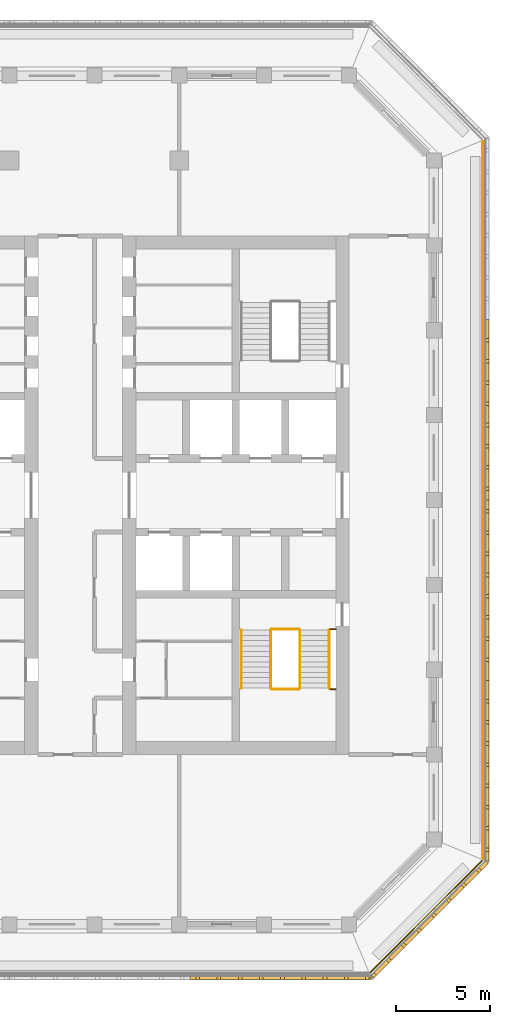
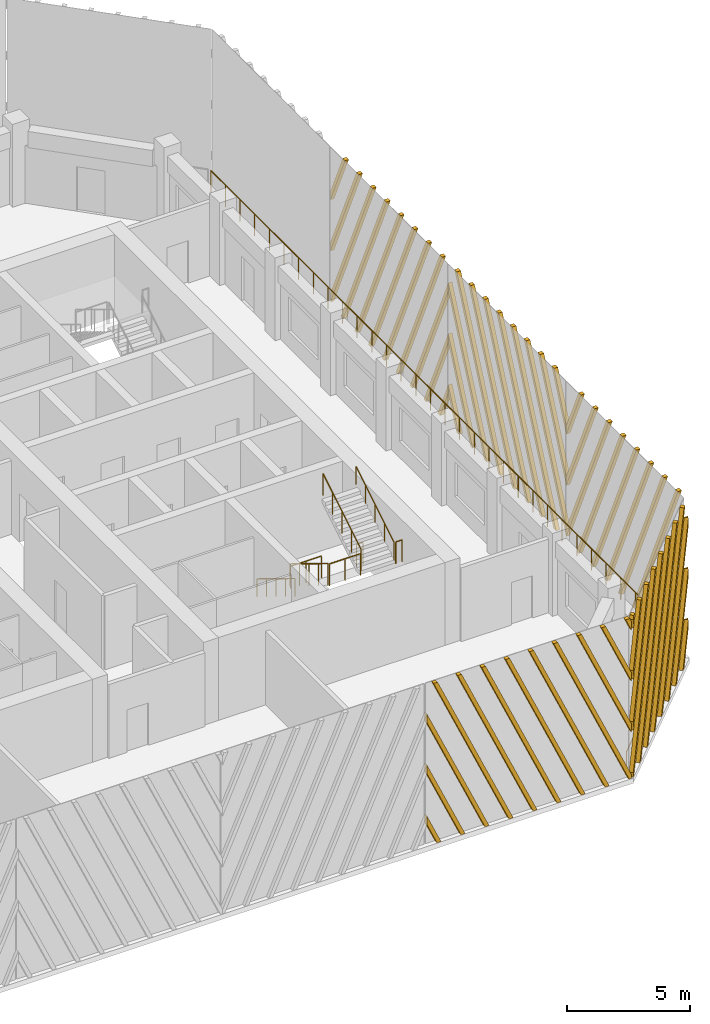
# One storey, part 11 of 15: 10 railings, 5 shading devices.
"""IFC4 building model written with IfcOpenShell, lengths in metres."""

from ifc_helpers import new_model, si_unit, direction, frame, origin, origin_2d, place, context, subcontext, project, spatial, polyline, circle, outline, extrude, source, transform, mapped, material, type_object, element, save


model = new_model("IFC4")

# Units and contexts
model_context = context("Model", 3, precision=1e-05, world=origin(), true_north=direction((0.0, 1.0)))
body_context = subcontext(model_context, "Body", "Model", "MODEL_VIEW")
ifc_project = project(units=[si_unit("LENGTHUNIT", "METRE"), si_unit("AREAUNIT", "SQUARE_METRE"), si_unit("VOLUMEUNIT", "CUBIC_METRE"), si_unit("PLANEANGLEUNIT", "RADIAN"), si_unit("MASSUNIT", "GRAM", prefix="KILO")], contexts=[model_context])

# Site, building, storey
site_placement = place(None, origin())
site = spatial("IfcSite", under=ifc_project, at=site_placement, CompositionType="ELEMENT")
building_placement = place(site_placement, origin())
building = spatial("IfcBuilding", under=site, at=building_placement, Name="Corbel Stack Research Tower", CompositionType="ELEMENT")
storey_placement = place(building_placement, frame((0.0, 0.0, 274.5)))
storey = spatial("IfcBuildingStorey", under=building, at=storey_placement, Name="L62", CompositionType="ELEMENT", Elevation=274.5)

# Railings
ifc_material_1 = material(Name="Steel S355", Category="steel")
railing_type_1 = type_object("IfcRailingType", Name="Stair guard 1100", PredefinedType="GUARDRAIL", material=ifc_material_1)
railing_1_placement = place(storey_placement, frame((13.85009765625, -2.39990234375, 0.1708984375)))
element("IfcRailing", 1, at=railing_1_placement, inside=storey, type_object=railing_type_1, Name="L62 ST-E1 stair guard 1", PredefinedType="GUARDRAIL", context=body_context, shape_type="SweptSolid", body=[
    extrude(circle(Radius=0.02392578125, at=origin_2d()), frame((0.0, 0.0, 1.076171875), z_axis=(0.0, -0.853666305674, 0.52082035152), x_axis=(1.0, 0.0, 0.0)), (0.0, 0.0, 1.0), 3.608154296875),
    extrude(circle(Radius=0.02099609375, at=origin_2d()), origin(), (0.0, 0.0, 1.0), 1.052001953125),
    extrude(circle(Radius=0.02099609375, at=origin_2d()), frame((0.0, -0.77001953125, 0.4697265625)), (0.0, 0.0, 1.0), 1.052001953125),
    extrude(circle(Radius=0.02099609375, at=origin_2d()), frame((0.0, -1.5400390625, 0.939453125)), (0.0, 0.0, 1.0), 1.052001953125),
    extrude(circle(Radius=0.02099609375, at=origin_2d()), frame((0.0, -2.31005859375, 1.409423828125)), (0.0, 0.0, 1.0), 1.052001953125),
    extrude(circle(Radius=0.02099609375, at=origin_2d()), frame((0.0, -3.080078125, 1.879150390625)), (0.0, 0.0, 1.0), 1.052001953125),
])
railing_2_placement = place(storey_placement, frame((13.89990234375, -5.530029296875, 2.050048828125)))
element("IfcRailing", 2, at=railing_2_placement, inside=storey, type_object=railing_type_1, Name="L62 ST-E1 stair guard 2", PredefinedType="GUARDRAIL", context=body_context, shape_type="SweptSolid", body=[
    extrude(circle(Radius=0.02392578125, at=origin_2d()), frame((0.0, 0.0, 1.076171875), z_axis=(1.0, 0.0, 0.0), x_axis=(0.0, 1.0, 0.0)), (0.0, 0.0, 1.0), 1.4501953125),
    extrude(circle(Radius=0.02099609375, at=origin_2d()), origin(), (0.0, 0.0, 1.0), 1.052001953125),
    extrude(circle(Radius=0.02099609375, at=origin_2d()), frame((0.72509765625, 0.0, 0.0)), (0.0, 0.0, 1.0), 1.052001953125),
    extrude(circle(Radius=0.02099609375, at=origin_2d()), frame((1.4501953125, 0.0, 0.0)), (0.0, 0.0, 1.0), 1.052001953125),
])
railing_3_placement = place(storey_placement, frame((17.0, -5.530029296875, 2.050048828125)))
element("IfcRailing", 3, at=railing_3_placement, inside=storey, type_object=railing_type_1, Name="L62 ST-E1 stair guard 3", PredefinedType="GUARDRAIL", context=body_context, shape_type="SweptSolid", body=[
    extrude(circle(Radius=0.02392578125, at=origin_2d()), frame((0.0, 0.0, 1.076171875), z_axis=(1.0, 0.0, 0.0), x_axis=(0.0, 1.0, 0.0)), (0.0, 0.0, 1.0), 0.300048828125),
    extrude(circle(Radius=0.02099609375, at=origin_2d()), origin(), (0.0, 0.0, 1.0), 1.052001953125),
    extrude(circle(Radius=0.02099609375, at=origin_2d()), frame((0.300048828125, 0.0, 0.0)), (0.0, 0.0, 1.0), 1.052001953125),
])
railing_4_placement = place(storey_placement, frame((15.39990234375, -5.47998046875, 2.220947265625)))
element("IfcRailing", 4, at=railing_4_placement, inside=storey, type_object=railing_type_1, Name="L62 ST-E1 stair guard 4", PredefinedType="GUARDRAIL", context=body_context, shape_type="SweptSolid", body=[
    extrude(circle(Radius=0.02392578125, at=origin_2d()), frame((0.0, 0.0, 1.076171875), z_axis=(0.0, 0.853666305674, 0.52082035152), x_axis=(-1.0, 0.0, 0.0)), (0.0, 0.0, 1.0), 3.608154296875),
    extrude(circle(Radius=0.02099609375, at=origin_2d()), origin(), (0.0, 0.0, 1.0), 1.052001953125),
    extrude(circle(Radius=0.02099609375, at=origin_2d()), frame((0.0, 0.77001953125, 0.4697265625)), (0.0, 0.0, 1.0), 1.052001953125),
    extrude(circle(Radius=0.02099609375, at=origin_2d()), frame((0.0, 1.5400390625, 0.939453125)), (0.0, 0.0, 1.0), 1.052001953125),
    extrude(circle(Radius=0.02099609375, at=origin_2d()), frame((0.0, 2.31005859375, 1.409423828125)), (0.0, 0.0, 1.0), 1.052001953125),
    extrude(circle(Radius=0.02099609375, at=origin_2d()), frame((0.0, 3.080078125, 1.879150390625)), (0.0, 0.0, 1.0), 1.052001953125),
])
railing_5_placement = place(storey_placement, frame((13.89990234375, -2.35009765625, 0.0)))
element("IfcRailing", 5, at=railing_5_placement, inside=storey, type_object=railing_type_1, Name="L62 ST-E1 stair guard 5", PredefinedType="GUARDRAIL", context=body_context, shape_type="SweptSolid", body=[
    extrude(circle(Radius=0.02392578125, at=origin_2d()), frame((0.0, 0.0, 1.076171875), z_axis=(1.0, 0.0, 0.0), x_axis=(0.0, 1.0, 0.0)), (0.0, 0.0, 1.0), 1.4501953125),
    extrude(circle(Radius=0.02099609375, at=origin_2d()), origin(), (0.0, 0.0, 1.0), 1.052001953125),
    extrude(circle(Radius=0.02099609375, at=origin_2d()), frame((0.72509765625, 0.0, 0.0)), (0.0, 0.0, 1.0), 1.052001953125),
    extrude(circle(Radius=0.02099609375, at=origin_2d()), frame((1.4501953125, 0.0, 0.0)), (0.0, 0.0, 1.0), 1.052001953125),
])
railing_6_placement = place(storey_placement, frame((17.0, -2.35009765625, 0.0)))
element("IfcRailing", 6, at=railing_6_placement, inside=storey, type_object=railing_type_1, Name="L62 ST-E1 stair guard 6", PredefinedType="GUARDRAIL", context=body_context, shape_type="SweptSolid", body=[
    extrude(circle(Radius=0.02392578125, at=origin_2d()), frame((0.0, 0.0, 1.076171875), z_axis=(1.0, 0.0, 0.0), x_axis=(0.0, 1.0, 0.0)), (0.0, 0.0, 1.0), 0.300048828125),
    extrude(circle(Radius=0.02099609375, at=origin_2d()), origin(), (0.0, 0.0, 1.0), 1.052001953125),
    extrude(circle(Radius=0.02099609375, at=origin_2d()), frame((0.300048828125, 0.0, 0.0)), (0.0, 0.0, 1.0), 1.052001953125),
])
ifc_material_2 = material(Name="Steel S355", Category="steel")
railing_type_2 = type_object("IfcRailingType", Name="Stair handrail 900", PredefinedType="HANDRAIL", material=ifc_material_2)
railing_7_placement = place(storey_placement, frame((12.300048828125, -2.39990234375, 0.1708984375)))
element("IfcRailing", 7, at=railing_7_placement, inside=storey, type_object=railing_type_2, Name="L62 ST-E1 stair handrail 1", PredefinedType="HANDRAIL", context=body_context, shape_type="SweptSolid", body=[
    extrude(circle(Radius=0.02392578125, at=origin_2d()), frame((0.0, 0.0, 0.8759765625), z_axis=(0.0, -0.853666305674, 0.52082035152), x_axis=(1.0, 0.0, 0.0)), (0.0, 0.0, 1.0), 3.608154296875),
    extrude(circle(Radius=0.02099609375, at=origin_2d()), origin(), (0.0, 0.0, 1.0), 0.851806640625),
    extrude(circle(Radius=0.02099609375, at=origin_2d()), frame((0.0, -0.77001953125, 0.4697265625)), (0.0, 0.0, 1.0), 0.851806640625),
    extrude(circle(Radius=0.02099609375, at=origin_2d()), frame((0.0, -1.5400390625, 0.939453125)), (0.0, 0.0, 1.0), 0.851806640625),
    extrude(circle(Radius=0.02099609375, at=origin_2d()), frame((0.0, -2.31005859375, 1.409423828125)), (0.0, 0.0, 1.0), 0.851806640625),
    extrude(circle(Radius=0.02099609375, at=origin_2d()), frame((0.0, -3.080078125, 1.879150390625)), (0.0, 0.0, 1.0), 0.851806640625),
])
railing_8_placement = place(storey_placement, frame((16.949951171875, -5.47998046875, 2.220947265625)))
element("IfcRailing", 8, at=railing_8_placement, inside=storey, type_object=railing_type_2, Name="L62 ST-E1 stair handrail 2", PredefinedType="HANDRAIL", context=body_context, shape_type="SweptSolid", body=[
    extrude(circle(Radius=0.02392578125, at=origin_2d()), frame((0.0, 0.0, 0.8759765625), z_axis=(0.0, 0.853666305674, 0.52082035152), x_axis=(-1.0, 0.0, 0.0)), (0.0, 0.0, 1.0), 3.608154296875),
    extrude(circle(Radius=0.02099609375, at=origin_2d()), origin(), (0.0, 0.0, 1.0), 0.851806640625),
    extrude(circle(Radius=0.02099609375, at=origin_2d()), frame((0.0, 0.77001953125, 0.4697265625)), (0.0, 0.0, 1.0), 0.851806640625),
    extrude(circle(Radius=0.02099609375, at=origin_2d()), frame((0.0, 1.5400390625, 0.939453125)), (0.0, 0.0, 1.0), 0.851806640625),
    extrude(circle(Radius=0.02099609375, at=origin_2d()), frame((0.0, 2.31005859375, 1.409423828125)), (0.0, 0.0, 1.0), 0.851806640625),
    extrude(circle(Radius=0.02099609375, at=origin_2d()), frame((0.0, 3.080078125, 1.879150390625)), (0.0, 0.0, 1.0), 0.851806640625),
])
ifc_material_3 = material(Name="Powder-coated steel guard", Category="steel")
railing_type_3 = type_object("IfcRailingType", Name="Steel and glass guard 1100", PredefinedType="GUARDRAIL", material=ifc_material_3)
railing_9_placement = place(storey_placement, frame((19.127685546875, -20.54931640625, 0.0)))
element("IfcRailing", 9, at=railing_9_placement, inside=storey, type_object=railing_type_3, Name="Loggia guard L62 SE", PredefinedType="GUARDRAIL", context=body_context, shape_type="SweptSolid", body=[
    extrude(circle(Radius=0.02392578125, at=origin_2d()), frame((0.0, 0.0, 1.076171875), z_axis=(0.707106781187, 0.707106781187, 0.0), x_axis=(-0.707106781187, 0.707106781187, 0.0)), (0.0, 0.0, 1.0), 8.37451171875),
    extrude(circle(Radius=0.02099609375, at=origin_2d()), origin(), (0.0, 0.0, 1.0), 1.052001953125),
    extrude(circle(Radius=0.02099609375, at=origin_2d()), frame((0.845947265625, 0.845947265625, 0.0)), (0.0, 0.0, 1.0), 1.052001953125),
    extrude(circle(Radius=0.02099609375, at=origin_2d()), frame((1.69189453125, 1.69189453125, 0.0)), (0.0, 0.0, 1.0), 1.052001953125),
    extrude(circle(Radius=0.02099609375, at=origin_2d()), frame((2.537841796875, 2.537841796875, 0.0)), (0.0, 0.0, 1.0), 1.052001953125),
    extrude(circle(Radius=0.02099609375, at=origin_2d()), frame((3.3837890625, 3.3837890625, 0.0)), (0.0, 0.0, 1.0), 1.052001953125),
    extrude(circle(Radius=0.02099609375, at=origin_2d()), frame((4.229736328125, 4.229736328125, 0.0)), (0.0, 0.0, 1.0), 1.052001953125),
    extrude(circle(Radius=0.02099609375, at=origin_2d()), frame((5.07568359375, 5.07568359375, 0.0)), (0.0, 0.0, 1.0), 1.052001953125),
    extrude(circle(Radius=0.02099609375, at=origin_2d()), frame((5.921630859375, 5.921630859375, 0.0)), (0.0, 0.0, 1.0), 1.052001953125),
])
railing_10_placement = place(storey_placement, frame((25.10009765625, -14.50537109375, 0.0)))
element("IfcRailing", 10, at=railing_10_placement, inside=storey, type_object=railing_type_3, Name="Loggia guard L62 E", PredefinedType="GUARDRAIL", context=body_context, shape_type="SweptSolid", body=[
    extrude(circle(Radius=0.02392578125, at=origin_2d()), frame((0.0, 0.0, 1.076171875), z_axis=(0.0, 1.0, 0.0), x_axis=(-1.0, 0.0, 0.0)), (0.0, 0.0, 1.0), 38.0107421875),
    extrude(circle(Radius=0.02099609375, at=origin_2d()), origin(), (0.0, 0.0, 1.0), 1.052001953125),
    extrude(circle(Radius=0.02099609375, at=origin_2d()), frame((0.0, 1.187744140625, 0.0)), (0.0, 0.0, 1.0), 1.052001953125),
    extrude(circle(Radius=0.02099609375, at=origin_2d()), frame((0.0, 2.375732421875, 0.0)), (0.0, 0.0, 1.0), 1.052001953125),
    extrude(circle(Radius=0.02099609375, at=origin_2d()), frame((0.0, 3.5634765625, 0.0)), (0.0, 0.0, 1.0), 1.052001953125),
    extrude(circle(Radius=0.02099609375, at=origin_2d()), frame((0.0, 4.75146484375, 0.0)), (0.0, 0.0, 1.0), 1.052001953125),
    extrude(circle(Radius=0.02099609375, at=origin_2d()), frame((0.0, 5.939208984375, 0.0)), (0.0, 0.0, 1.0), 1.052001953125),
    extrude(circle(Radius=0.02099609375, at=origin_2d()), frame((0.0, 7.126953125, 0.0)), (0.0, 0.0, 1.0), 1.052001953125),
    extrude(circle(Radius=0.02099609375, at=origin_2d()), frame((0.0, 8.31494140625, 0.0)), (0.0, 0.0, 1.0), 1.052001953125),
    extrude(circle(Radius=0.02099609375, at=origin_2d()), frame((0.0, 9.502685546875, 0.0)), (0.0, 0.0, 1.0), 1.052001953125),
    extrude(circle(Radius=0.02099609375, at=origin_2d()), frame((0.0, 10.6904296875, 0.0)), (0.0, 0.0, 1.0), 1.052001953125),
    extrude(circle(Radius=0.02099609375, at=origin_2d()), frame((0.0, 11.87841796875, 0.0)), (0.0, 0.0, 1.0), 1.052001953125),
    extrude(circle(Radius=0.02099609375, at=origin_2d()), frame((0.0, 13.066162109375, 0.0)), (0.0, 0.0, 1.0), 1.052001953125),
    extrude(circle(Radius=0.02099609375, at=origin_2d()), frame((0.0, 14.25390625, 0.0)), (0.0, 0.0, 1.0), 1.052001953125),
    extrude(circle(Radius=0.02099609375, at=origin_2d()), frame((0.0, 15.44189453125, 0.0)), (0.0, 0.0, 1.0), 1.052001953125),
    extrude(circle(Radius=0.02099609375, at=origin_2d()), frame((0.0, 16.629638671875, 0.0)), (0.0, 0.0, 1.0), 1.052001953125),
    extrude(circle(Radius=0.02099609375, at=origin_2d()), frame((0.0, 17.817626953125, 0.0)), (0.0, 0.0, 1.0), 1.052001953125),
    extrude(circle(Radius=0.02099609375, at=origin_2d()), frame((0.0, 19.00537109375, 0.0)), (0.0, 0.0, 1.0), 1.052001953125),
    extrude(circle(Radius=0.02099609375, at=origin_2d()), frame((0.0, 20.193115234375, 0.0)), (0.0, 0.0, 1.0), 1.052001953125),
    extrude(circle(Radius=0.02099609375, at=origin_2d()), frame((0.0, 21.381103515625, 0.0)), (0.0, 0.0, 1.0), 1.052001953125),
    extrude(circle(Radius=0.02099609375, at=origin_2d()), frame((0.0, 22.56884765625, 0.0)), (0.0, 0.0, 1.0), 1.052001953125),
    extrude(circle(Radius=0.02099609375, at=origin_2d()), frame((0.0, 23.7568359375, 0.0)), (0.0, 0.0, 1.0), 1.052001953125),
    extrude(circle(Radius=0.02099609375, at=origin_2d()), frame((0.0, 24.944580078125, 0.0)), (0.0, 0.0, 1.0), 1.052001953125),
    extrude(circle(Radius=0.02099609375, at=origin_2d()), frame((0.0, 26.13232421875, 0.0)), (0.0, 0.0, 1.0), 1.052001953125),
    extrude(circle(Radius=0.02099609375, at=origin_2d()), frame((0.0, 27.3203125, 0.0)), (0.0, 0.0, 1.0), 1.052001953125),
    extrude(circle(Radius=0.02099609375, at=origin_2d()), frame((0.0, 28.508056640625, 0.0)), (0.0, 0.0, 1.0), 1.052001953125),
    extrude(circle(Radius=0.02099609375, at=origin_2d()), frame((0.0, 29.69580078125, 0.0)), (0.0, 0.0, 1.0), 1.052001953125),
    extrude(circle(Radius=0.02099609375, at=origin_2d()), frame((0.0, 30.8837890625, 0.0)), (0.0, 0.0, 1.0), 1.052001953125),
    extrude(circle(Radius=0.02099609375, at=origin_2d()), frame((0.0, 32.071533203125, 0.0)), (0.0, 0.0, 1.0), 1.052001953125),
    extrude(circle(Radius=0.02099609375, at=origin_2d()), frame((0.0, 33.25927734375, 0.0)), (0.0, 0.0, 1.0), 1.052001953125),
    extrude(circle(Radius=0.02099609375, at=origin_2d()), frame((0.0, 34.447265625, 0.0)), (0.0, 0.0, 1.0), 1.052001953125),
    extrude(circle(Radius=0.02099609375, at=origin_2d()), frame((0.0, 35.635009765625, 0.0)), (0.0, 0.0, 1.0), 1.052001953125),
    extrude(circle(Radius=0.02099609375, at=origin_2d()), frame((0.0, 36.822998046875, 0.0)), (0.0, 0.0, 1.0), 1.052001953125),
    extrude(circle(Radius=0.02099609375, at=origin_2d()), frame((0.0, 38.0107421875, 0.0)), (0.0, 0.0, 1.0), 1.052001953125),
])

# Shading devices
ifc_material_4 = material(Name="Precast terracotta", Category="masonry")
shading_device_type = type_object("IfcShadingDeviceType", Name="Terracotta screen panel", PredefinedType="USERDEFINED", material=ifc_material_4)
shared_shape_1 = source(origin(), body_context, "Body", "SweptSolid", [
    extrude(outline(polyline([(0.66455078125, 0.0), (0.0, 1.49267578125), (0.0, 1.06591796875), (0.474609375, 0.0), (0.66455078125, 0.0)])), frame((0.0, 0.0, 0.0), z_axis=(0.0, -1.0, 0.0), x_axis=(1.0, 0.0, 0.0)), (0.0, 0.0, 1.0), 0.179931640625),
    extrude(outline(polyline([(1.78955078125, 0.0), (0.0, 4.019287109375), (0.0, 3.592529296875), (1.599609375, 0.0), (1.78955078125, 0.0)])), frame((0.0, 0.0, 0.0), z_axis=(0.0, -1.0, 0.0), x_axis=(1.0, 0.0, 0.0)), (0.0, 0.0, 1.0), 0.179931640625),
    extrude(outline(polyline([(2.91455078125, 0.0), (0.0, 6.546142578125), (0.0, 6.119384765625), (2.724609375, 0.0), (2.91455078125, 0.0)])), frame((0.0, 0.0, 0.0), z_axis=(0.0, -1.0, 0.0), x_axis=(1.0, 0.0, 0.0)), (0.0, 0.0, 1.0), 0.179931640625),
    extrude(outline(polyline([(4.03955078125, 0.0), (0.5, 7.949951171875), (0.31005859375, 7.949951171875), (3.849609375, 0.0), (4.03955078125, 0.0)])), frame((0.0, 0.0, 0.0), z_axis=(0.0, -1.0, 0.0), x_axis=(1.0, 0.0, 0.0)), (0.0, 0.0, 1.0), 0.179931640625),
    extrude(outline(polyline([(5.16455078125, 0.0), (1.625, 7.949951171875), (1.43505859375, 7.949951171875), (4.974609375, 0.0), (5.16455078125, 0.0)])), frame((0.0, 0.0, 0.0), z_axis=(0.0, -1.0, 0.0), x_axis=(1.0, 0.0, 0.0)), (0.0, 0.0, 1.0), 0.179931640625),
    extrude(outline(polyline([(6.28955078125, 0.0), (2.75, 7.949951171875), (2.56005859375, 7.949951171875), (6.099609375, 0.0), (6.28955078125, 0.0)])), frame((0.0, 0.0, 0.0), z_axis=(0.0, -1.0, 0.0), x_axis=(1.0, 0.0, 0.0)), (0.0, 0.0, 1.0), 0.179931640625),
    extrude(outline(polyline([(7.41455078125, 0.0), (3.875, 7.949951171875), (3.68505859375, 7.949951171875), (7.224609375, 0.0), (7.41455078125, 0.0)])), frame((0.0, 0.0, 0.0), z_axis=(0.0, -1.0, 0.0), x_axis=(1.0, 0.0, 0.0)), (0.0, 0.0, 1.0), 0.179931640625),
    extrude(outline(polyline([(8.53955078125, 0.0), (5.0, 7.949951171875), (4.81005859375, 7.949951171875), (8.349609375, 0.0), (8.53955078125, 0.0)])), frame((0.0, 0.0, 0.0), z_axis=(0.0, -1.0, 0.0), x_axis=(1.0, 0.0, 0.0)), (0.0, 0.0, 1.0), 0.179931640625),
    extrude(outline(polyline([(9.569580078125, 0.0), (9.569580078125, 0.21337890625), (6.125, 7.949951171875), (5.93505859375, 7.949951171875), (9.474609375, 0.0), (9.569580078125, 0.0)])), frame((0.0, 0.0, 0.0), z_axis=(0.0, -1.0, 0.0), x_axis=(1.0, 0.0, 0.0)), (0.0, 0.0, 1.0), 0.179931640625),
    extrude(outline(polyline([(7.25, 7.949951171875), (7.06005859375, 7.949951171875), (9.569580078125, 2.3134765625), (9.569580078125, 2.740234375), (7.25, 7.949951171875)])), frame((0.0, 0.0, 0.0), z_axis=(0.0, -1.0, 0.0), x_axis=(1.0, 0.0, 0.0)), (0.0, 0.0, 1.0), 0.179931640625),
    extrude(outline(polyline([(8.375, 7.949951171875), (8.18505859375, 7.949951171875), (9.569580078125, 4.840087890625), (9.569580078125, 5.26708984375), (8.375, 7.949951171875)])), frame((0.0, 0.0, 0.0), z_axis=(0.0, -1.0, 0.0), x_axis=(1.0, 0.0, 0.0)), (0.0, 0.0, 1.0), 0.179931640625),
    extrude(outline(polyline([(9.5, 7.949951171875), (9.31005859375, 7.949951171875), (9.569580078125, 7.366943359375), (9.569580078125, 7.793701171875), (9.5, 7.949951171875)])), frame((0.0, 0.0, 0.0), z_axis=(0.0, -1.0, 0.0), x_axis=(1.0, 0.0, 0.0)), (0.0, 0.0, 1.0), 0.179931640625),
])
shading_device_1_placement = place(storey_placement, frame((9.569580078125, -20.75, 0.0), z_axis=(0.0, 0.0, 1.0), x_axis=(1.0, 0.0, 0.0)))
element("IfcShadingDevice", 11, at=shading_device_1_placement, inside=storey, type_object=shading_device_type, Name="Terracotta screen L62 S4", ObjectType="SCREEN", PredefinedType="USERDEFINED", context=body_context, shape_type="MappedRepresentation", body=[
    mapped(shared_shape_1, transform((0.0, 0.0, 0.0))),
])
shared_shape_2 = source(origin(), body_context, "Body", "SweptSolid", [
    extrude(outline(polyline([(0.259521484375, 7.949951171875), (0.069580078125, 7.949951171875), (0.0, 7.793701171875), (0.0, 7.366943359375), (0.259521484375, 7.949951171875)])), frame((0.0, 0.0, 0.0), z_axis=(0.0, -1.0, 0.0), x_axis=(1.0, 0.0, 0.0)), (0.0, 0.0, 1.0), 0.179931640625),
    extrude(outline(polyline([(1.384521484375, 7.949951171875), (1.194580078125, 7.949951171875), (0.0, 5.26708984375), (0.0, 4.840087890625), (1.384521484375, 7.949951171875)])), frame((0.0, 0.0, 0.0), z_axis=(0.0, -1.0, 0.0), x_axis=(1.0, 0.0, 0.0)), (0.0, 0.0, 1.0), 0.179931640625),
    extrude(outline(polyline([(2.509521484375, 7.949951171875), (2.319580078125, 7.949951171875), (0.0, 2.740234375), (0.0, 2.3134765625), (2.509521484375, 7.949951171875)])), frame((0.0, 0.0, 0.0), z_axis=(0.0, -1.0, 0.0), x_axis=(1.0, 0.0, 0.0)), (0.0, 0.0, 1.0), 0.179931640625),
    extrude(outline(polyline([(0.094970703125, 0.0), (3.634521484375, 7.949951171875), (3.444580078125, 7.949951171875), (0.0, 0.21337890625), (0.0, 0.0), (0.094970703125, 0.0)])), frame((0.0, 0.0, 0.0), z_axis=(0.0, -1.0, 0.0), x_axis=(1.0, 0.0, 0.0)), (0.0, 0.0, 1.0), 0.179931640625),
    extrude(outline(polyline([(1.219970703125, 0.0), (4.759521484375, 7.949951171875), (4.569580078125, 7.949951171875), (1.030029296875, 0.0), (1.219970703125, 0.0)])), frame((0.0, 0.0, 0.0), z_axis=(0.0, -1.0, 0.0), x_axis=(1.0, 0.0, 0.0)), (0.0, 0.0, 1.0), 0.179931640625),
    extrude(outline(polyline([(2.344970703125, 0.0), (5.884521484375, 7.949951171875), (5.694580078125, 7.949951171875), (2.155029296875, 0.0), (2.344970703125, 0.0)])), frame((0.0, 0.0, 0.0), z_axis=(0.0, -1.0, 0.0), x_axis=(1.0, 0.0, 0.0)), (0.0, 0.0, 1.0), 0.179931640625),
    extrude(outline(polyline([(3.469970703125, 0.0), (7.009521484375, 7.949951171875), (6.819580078125, 7.949951171875), (3.280029296875, 0.0), (3.469970703125, 0.0)])), frame((0.0, 0.0, 0.0), z_axis=(0.0, -1.0, 0.0), x_axis=(1.0, 0.0, 0.0)), (0.0, 0.0, 1.0), 0.179931640625),
    extrude(outline(polyline([(4.594970703125, 0.0), (8.134521484375, 7.949951171875), (7.944580078125, 7.949951171875), (4.405029296875, 0.0), (4.594970703125, 0.0)])), frame((0.0, 0.0, 0.0), z_axis=(0.0, -1.0, 0.0), x_axis=(1.0, 0.0, 0.0)), (0.0, 0.0, 1.0), 0.179931640625),
    extrude(outline(polyline([(5.719970703125, 0.0), (8.64208984375, 6.563232421875), (8.64208984375, 6.989990234375), (5.530029296875, 0.0), (5.719970703125, 0.0)])), frame((0.0, 0.0, 0.0), z_axis=(0.0, -1.0, 0.0), x_axis=(1.0, 0.0, 0.0)), (0.0, 0.0, 1.0), 0.179931640625),
    extrude(outline(polyline([(6.844970703125, 0.0), (8.64208984375, 4.036376953125), (8.64208984375, 4.463134765625), (6.655029296875, 0.0), (6.844970703125, 0.0)])), frame((0.0, 0.0, 0.0), z_axis=(0.0, -1.0, 0.0), x_axis=(1.0, 0.0, 0.0)), (0.0, 0.0, 1.0), 0.179931640625),
    extrude(outline(polyline([(7.969970703125, 0.0), (8.64208984375, 1.509521484375), (8.64208984375, 1.936279296875), (7.780029296875, 0.0), (7.969970703125, 0.0)])), frame((0.0, 0.0, 0.0), z_axis=(0.0, -1.0, 0.0), x_axis=(1.0, 0.0, 0.0)), (0.0, 0.0, 1.0), 0.179931640625),
])
shading_device_2_placement = place(storey_placement, frame((19.13916015625, -20.75, 0.0), z_axis=(0.0, 0.0, 1.0), x_axis=(0.707106781187, 0.707106781187, 0.0)))
element("IfcShadingDevice", 12, at=shading_device_2_placement, inside=storey, type_object=shading_device_type, Name="Terracotta screen L62 SE1", ObjectType="SCREEN", PredefinedType="USERDEFINED", context=body_context, shape_type="MappedRepresentation", body=[
    mapped(shared_shape_2, transform((0.0, 0.0, 0.0))),
])
shared_shape_3 = source(origin(), body_context, "Body", "SweptSolid", [
    extrude(outline(polyline([(0.862060546875, 0.0), (0.0, 1.936279296875), (0.0, 1.509521484375), (0.672119140625, 0.0), (0.862060546875, 0.0)])), frame((0.0, 0.0, 0.0), z_axis=(0.0, -1.0, 0.0), x_axis=(1.0, 0.0, 0.0)), (0.0, 0.0, 1.0), 0.179931640625),
    extrude(outline(polyline([(1.987060546875, 0.0), (0.0, 4.463134765625), (0.0, 4.036376953125), (1.797119140625, 0.0), (1.987060546875, 0.0)])), frame((0.0, 0.0, 0.0), z_axis=(0.0, -1.0, 0.0), x_axis=(1.0, 0.0, 0.0)), (0.0, 0.0, 1.0), 0.179931640625),
    extrude(outline(polyline([(3.112060546875, 0.0), (0.0, 6.989990234375), (0.0, 6.563232421875), (2.922119140625, 0.0), (3.112060546875, 0.0)])), frame((0.0, 0.0, 0.0), z_axis=(0.0, -1.0, 0.0), x_axis=(1.0, 0.0, 0.0)), (0.0, 0.0, 1.0), 0.179931640625),
    extrude(outline(polyline([(4.237060546875, 0.0), (0.697509765625, 7.949951171875), (0.507568359375, 7.949951171875), (4.047119140625, 0.0), (4.237060546875, 0.0)])), frame((0.0, 0.0, 0.0), z_axis=(0.0, -1.0, 0.0), x_axis=(1.0, 0.0, 0.0)), (0.0, 0.0, 1.0), 0.179931640625),
    extrude(outline(polyline([(5.362060546875, 0.0), (1.822509765625, 7.949951171875), (1.632568359375, 7.949951171875), (5.172119140625, 0.0), (5.362060546875, 0.0)])), frame((0.0, 0.0, 0.0), z_axis=(0.0, -1.0, 0.0), x_axis=(1.0, 0.0, 0.0)), (0.0, 0.0, 1.0), 0.179931640625),
    extrude(outline(polyline([(6.487060546875, 0.0), (2.947509765625, 7.949951171875), (2.757568359375, 7.949951171875), (6.297119140625, 0.0), (6.487060546875, 0.0)])), frame((0.0, 0.0, 0.0), z_axis=(0.0, -1.0, 0.0), x_axis=(1.0, 0.0, 0.0)), (0.0, 0.0, 1.0), 0.179931640625),
    extrude(outline(polyline([(7.612060546875, 0.0), (4.072509765625, 7.949951171875), (3.882568359375, 7.949951171875), (7.422119140625, 0.0), (7.612060546875, 0.0)])), frame((0.0, 0.0, 0.0), z_axis=(0.0, -1.0, 0.0), x_axis=(1.0, 0.0, 0.0)), (0.0, 0.0, 1.0), 0.179931640625),
    extrude(outline(polyline([(8.737060546875, 0.0), (5.197509765625, 7.949951171875), (5.007568359375, 7.949951171875), (8.547119140625, 0.0), (8.737060546875, 0.0)])), frame((0.0, 0.0, 0.0), z_axis=(0.0, -1.0, 0.0), x_axis=(1.0, 0.0, 0.0)), (0.0, 0.0, 1.0), 0.179931640625),
    extrude(outline(polyline([(6.322509765625, 7.949951171875), (6.132568359375, 7.949951171875), (9.569580078125, 0.23046875), (9.569580078125, 0.6572265625), (6.322509765625, 7.949951171875)])), frame((0.0, 0.0, 0.0), z_axis=(0.0, -1.0, 0.0), x_axis=(1.0, 0.0, 0.0)), (0.0, 0.0, 1.0), 0.179931640625),
    extrude(outline(polyline([(7.447509765625, 7.949951171875), (7.257568359375, 7.949951171875), (9.569580078125, 2.757080078125), (9.569580078125, 3.18408203125), (7.447509765625, 7.949951171875)])), frame((0.0, 0.0, 0.0), z_axis=(0.0, -1.0, 0.0), x_axis=(1.0, 0.0, 0.0)), (0.0, 0.0, 1.0), 0.179931640625),
    extrude(outline(polyline([(8.572509765625, 7.949951171875), (8.382568359375, 7.949951171875), (9.569580078125, 5.283935546875), (9.569580078125, 5.710693359375), (8.572509765625, 7.949951171875)])), frame((0.0, 0.0, 0.0), z_axis=(0.0, -1.0, 0.0), x_axis=(1.0, 0.0, 0.0)), (0.0, 0.0, 1.0), 0.179931640625),
])
for number, where, z_axis, x_axis, name in (
    (13, (25.25, -14.63916015625, 0.0), (0.0, 0.0, 1.0), (0.0, 1.0, 0.0), "Terracotta screen L62 E1"),
    (14, (25.25, 4.5, 0.0), (0.0, 0.0, 1.0), (0.0, 1.0, 0.0), "Terracotta screen L62 E3"),
):
    element("IfcShadingDevice", number, at=place(storey_placement, frame(where, z_axis=z_axis, x_axis=x_axis)), inside=storey, type_object=shading_device_type, Name=name, ObjectType="SCREEN", PredefinedType="USERDEFINED", context=body_context, shape_type="MappedRepresentation", body=[
        mapped(shared_shape_3, transform((0.0, 0.0, 0.0))),
    ])
shared_shape_4 = source(origin(), body_context, "Body", "SweptSolid", [
    extrude(outline(polyline([(1.18701171875, 7.949951171875), (0.9970703125, 7.949951171875), (0.0, 5.710693359375), (0.0, 5.283935546875), (1.18701171875, 7.949951171875)])), frame((0.0, 0.0, 0.0), z_axis=(0.0, -1.0, 0.0), x_axis=(1.0, 0.0, 0.0)), (0.0, 0.0, 1.0), 0.179931640625),
    extrude(outline(polyline([(2.31201171875, 7.949951171875), (2.1220703125, 7.949951171875), (0.0, 3.18408203125), (0.0, 2.757080078125), (2.31201171875, 7.949951171875)])), frame((0.0, 0.0, 0.0), z_axis=(0.0, -1.0, 0.0), x_axis=(1.0, 0.0, 0.0)), (0.0, 0.0, 1.0), 0.179931640625),
    extrude(outline(polyline([(3.43701171875, 7.949951171875), (3.2470703125, 7.949951171875), (0.0, 0.6572265625), (0.0, 0.23046875), (3.43701171875, 7.949951171875)])), frame((0.0, 0.0, 0.0), z_axis=(0.0, -1.0, 0.0), x_axis=(1.0, 0.0, 0.0)), (0.0, 0.0, 1.0), 0.179931640625),
    extrude(outline(polyline([(1.0224609375, 0.0), (4.56201171875, 7.949951171875), (4.3720703125, 7.949951171875), (0.83251953125, 0.0), (1.0224609375, 0.0)])), frame((0.0, 0.0, 0.0), z_axis=(0.0, -1.0, 0.0), x_axis=(1.0, 0.0, 0.0)), (0.0, 0.0, 1.0), 0.179931640625),
    extrude(outline(polyline([(2.1474609375, 0.0), (5.68701171875, 7.949951171875), (5.4970703125, 7.949951171875), (1.95751953125, 0.0), (2.1474609375, 0.0)])), frame((0.0, 0.0, 0.0), z_axis=(0.0, -1.0, 0.0), x_axis=(1.0, 0.0, 0.0)), (0.0, 0.0, 1.0), 0.179931640625),
    extrude(outline(polyline([(3.2724609375, 0.0), (6.81201171875, 7.949951171875), (6.6220703125, 7.949951171875), (3.08251953125, 0.0), (3.2724609375, 0.0)])), frame((0.0, 0.0, 0.0), z_axis=(0.0, -1.0, 0.0), x_axis=(1.0, 0.0, 0.0)), (0.0, 0.0, 1.0), 0.179931640625),
    extrude(outline(polyline([(4.3974609375, 0.0), (7.93701171875, 7.949951171875), (7.7470703125, 7.949951171875), (4.20751953125, 0.0), (4.3974609375, 0.0)])), frame((0.0, 0.0, 0.0), z_axis=(0.0, -1.0, 0.0), x_axis=(1.0, 0.0, 0.0)), (0.0, 0.0, 1.0), 0.179931640625),
    extrude(outline(polyline([(5.5224609375, 0.0), (9.06201171875, 7.949951171875), (8.8720703125, 7.949951171875), (5.33251953125, 0.0), (5.5224609375, 0.0)])), frame((0.0, 0.0, 0.0), z_axis=(0.0, -1.0, 0.0), x_axis=(1.0, 0.0, 0.0)), (0.0, 0.0, 1.0), 0.179931640625),
    extrude(outline(polyline([(6.6474609375, 0.0), (9.569580078125, 6.563232421875), (9.569580078125, 6.989990234375), (6.45751953125, 0.0), (6.6474609375, 0.0)])), frame((0.0, 0.0, 0.0), z_axis=(0.0, -1.0, 0.0), x_axis=(1.0, 0.0, 0.0)), (0.0, 0.0, 1.0), 0.179931640625),
    extrude(outline(polyline([(7.7724609375, 0.0), (9.569580078125, 4.036376953125), (9.569580078125, 4.463134765625), (7.58251953125, 0.0), (7.7724609375, 0.0)])), frame((0.0, 0.0, 0.0), z_axis=(0.0, -1.0, 0.0), x_axis=(1.0, 0.0, 0.0)), (0.0, 0.0, 1.0), 0.179931640625),
    extrude(outline(polyline([(8.8974609375, 0.0), (9.569580078125, 1.509521484375), (9.569580078125, 1.936279296875), (8.70751953125, 0.0), (8.8974609375, 0.0)])), frame((0.0, 0.0, 0.0), z_axis=(0.0, -1.0, 0.0), x_axis=(1.0, 0.0, 0.0)), (0.0, 0.0, 1.0), 0.179931640625),
])
shading_device_3_placement = place(storey_placement, frame((25.25, -5.069580078125, 0.0), z_axis=(0.0, 0.0, 1.0), x_axis=(0.0, 1.0, 0.0)))
element("IfcShadingDevice", 15, at=shading_device_3_placement, inside=storey, type_object=shading_device_type, Name="Terracotta screen L62 E2", ObjectType="SCREEN", PredefinedType="USERDEFINED", context=body_context, shape_type="MappedRepresentation", body=[
    mapped(shared_shape_4, transform((0.0, 0.0, 0.0))),
])

save(model, "model.ifc")
